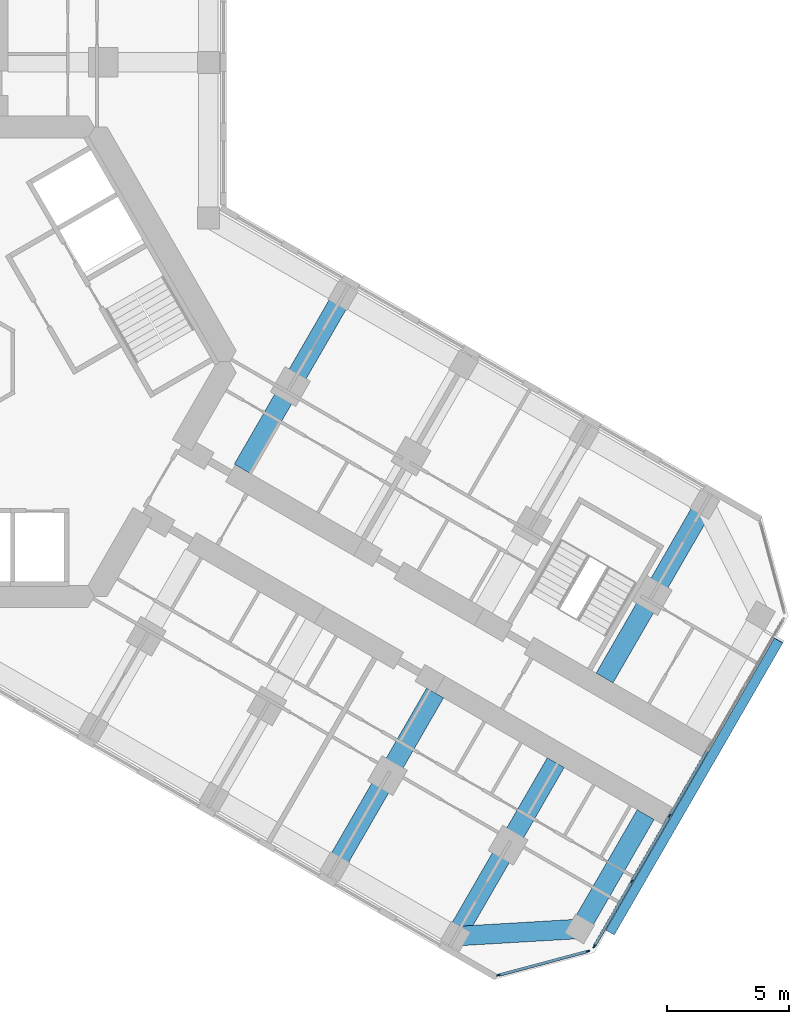
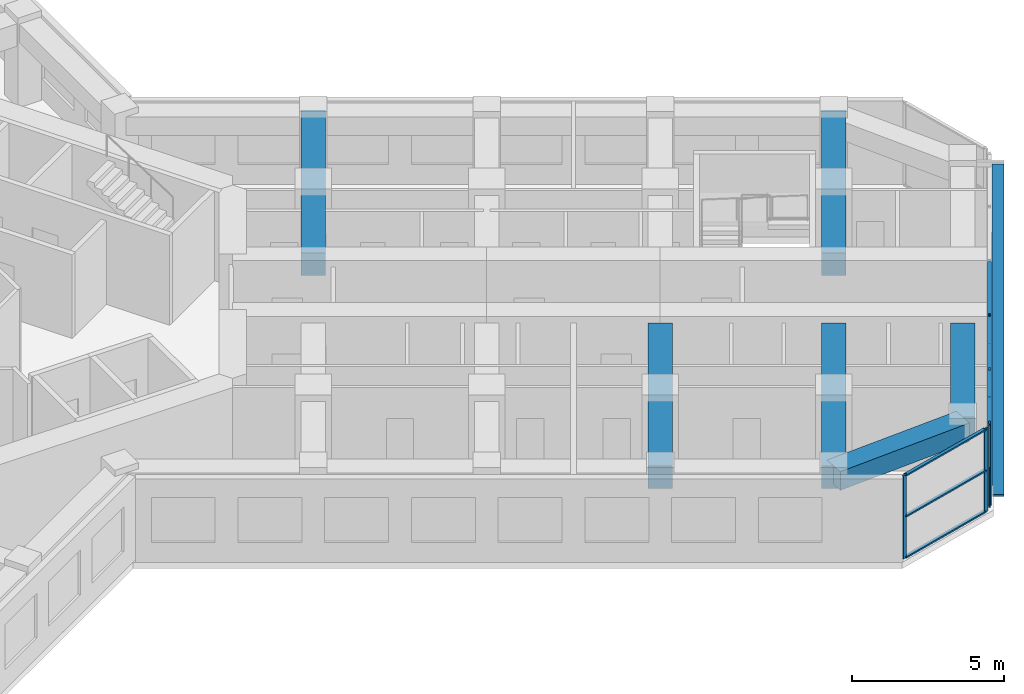
# One storey, part 5 of 20: 15 members, 6 beams, 2 elements without a shape of their own.
"""IFC4 building model written with IfcOpenShell, lengths in metres."""

from ifc_helpers import new_model, si_unit, direction, frame, origin, origin_2d, place, context, subcontext, project, spatial, rectangle, extrude, material, material_profile, profile_set, type_object, element, aggregate, save


model = new_model("IFC4")

# Units and contexts
model_context = context("Model", 3, precision=1e-05, world=origin(), true_north=direction((0.0, 1.0)))
body_context = subcontext(model_context, "Body", "Model", "MODEL_VIEW")
ifc_project = project(units=[si_unit("LENGTHUNIT", "METRE"), si_unit("AREAUNIT", "SQUARE_METRE"), si_unit("VOLUMEUNIT", "CUBIC_METRE"), si_unit("PLANEANGLEUNIT", "RADIAN"), si_unit("MASSUNIT", "GRAM", prefix="KILO")], contexts=[model_context])

# Site, building, storey
site_placement = place(None, origin())
site = spatial("IfcSite", under=ifc_project, at=site_placement, CompositionType="ELEMENT")
building_placement = place(site_placement, origin())
building = spatial("IfcBuilding", under=site, at=building_placement, Name="Kosmar Iwan School Tower", CompositionType="ELEMENT")
storey_placement = place(building_placement, frame((0.0, 0.0, 131.0)))
storey = spatial("IfcBuildingStorey", under=building, at=storey_placement, Name="L32", CompositionType="ELEMENT", Elevation=131.0)

# Member
ifc_material_1 = material(Name="Black anodised aluminium", Category="aluminium")
ifc_material_profile_1 = material_profile(ifc_material_1, rectangle(XDim=0.10009765625, YDim=0.39990234375, at=origin_2d()), Name="FIN 100x400")
ifc_profile_set_1 = profile_set([ifc_material_profile_1], Name="Black anodised aluminium")
member_type_1 = type_object("IfcMemberType", Name="Diagonal fin 100x400", PredefinedType="USERDEFINED", material=ifc_profile_set_1)
member_1_placement = place(storey_placement, frame((26.645263671875, -23.34912109375, -0.14990234375), z_axis=(0.483795538458, 0.837973939202, 0.252470897702), x_axis=(-0.126233699175, -0.218647221293, 0.967604488318)))
element("IfcMember", 1, at=member_1_placement, inside=storey, type_object=member_type_1, Name="Diagonal fin L32-F03", ObjectType="FIN", PredefinedType="USERDEFINED", context=body_context, shape_type="SweptSolid", body=[
    extrude(rectangle(XDim=0.10009765625, YDim=0.39990234375, at=origin_2d()), origin(), (0.0, 0.0, 1.0), 14.258544921875),
])

# Curtain wall, members
ifc_material_2 = material(Name="Dark glass in black aluminium frame", Category="aluminium")
curtain_wall_type_1 = type_object("IfcCurtainWallType", Name="Chamfer curtain wall dark glass", PredefinedType="USERDEFINED", material=ifc_material_2)
curtain_wall_1_placement = place(storey_placement, origin())
curtain_wall_1 = element("IfcCurtainWall", 2, at=curtain_wall_1_placement, inside=storey, type_object=curtain_wall_type_1, Name="Curtain wall L32-F02", ObjectType="FACETED CURTAIN WALL", PredefinedType="USERDEFINED")
ifc_material_3 = material(Name="Black anodised aluminium", Category="aluminium")
ifc_material_profile_2 = material_profile(ifc_material_3, rectangle(XDim=0.06005859375, YDim=0.159912109375, at=origin_2d()), Name="MULLION 60x160")
ifc_profile_set_2 = profile_set([ifc_material_profile_2], Name="Black anodised aluminium")
member_type_2 = type_object("IfcMemberType", Name="Mullion 60x160", PredefinedType="MULLION", material=ifc_profile_set_2)
member_2_placement = place(storey_placement, frame((22.0830078125, -25.102294921875, 0.0), z_axis=(0.0, 0.0, 1.0), x_axis=(-0.258818861462, 0.965925875495, 0.0)))
member_2 = element("IfcMember", 3, at=member_2_placement, type_object=member_type_2, Name="CW2 mullion 1", PredefinedType="MULLION", context=body_context, shape_type="SweptSolid", body=[
    extrude(rectangle(XDim=0.06005859375, YDim=0.159912109375, at=origin_2d()), origin(), (0.0, 0.0, 1.0), 3.35009765625),
])
member_3_placement = place(storey_placement, frame((25.733154296875, -24.124267578125, 0.0), z_axis=(0.0, 0.0, 1.0), x_axis=(-0.258818861462, 0.965925875495, 0.0)))
member_3 = element("IfcMember", 4, at=member_3_placement, type_object=member_type_2, Name="CW2 mullion 2", PredefinedType="MULLION", context=body_context, shape_type="SweptSolid", body=[
    extrude(rectangle(XDim=0.06005859375, YDim=0.159912109375, at=origin_2d()), origin(), (0.0, 0.0, 1.0), 3.35009765625),
])

ifc_material_4 = material(Name="Dark glass in black aluminium frame", Category="aluminium")
curtain_wall_type_2 = type_object("IfcCurtainWallType", Name="Tower curtain wall dark glass", PredefinedType="USERDEFINED", material=ifc_material_4)
curtain_wall_2_placement = place(storey_placement, origin())
curtain_wall_2 = element("IfcCurtainWall", 5, at=curtain_wall_2_placement, inside=storey, type_object=curtain_wall_type_2, Name="Curtain wall L32-F03", ObjectType="UNITISED CURTAIN WALL", PredefinedType="USERDEFINED")
member_4_placement = place(storey_placement, frame((25.9970703125, -23.921630859375, 0.0), z_axis=(0.0, 0.0, 1.0), x_axis=(-0.866025405329, 0.499999997325, 0.0)))
member_4 = element("IfcMember", 6, at=member_4_placement, type_object=member_type_2, Name="CW1 mullion 1", PredefinedType="MULLION", context=body_context, shape_type="SweptSolid", body=[
    extrude(rectangle(XDim=0.06005859375, YDim=0.159912109375, at=origin_2d()), origin(), (0.0, 0.0, 1.0), 3.35009765625),
])
member_5_placement = place(storey_placement, frame((27.53173828125, -21.263671875, 0.0), z_axis=(0.0, 0.0, 1.0), x_axis=(-0.866025405329, 0.499999997325, 0.0)))
member_5 = element("IfcMember", 7, at=member_5_placement, type_object=member_type_2, Name="CW1 mullion 2", PredefinedType="MULLION", context=body_context, shape_type="SweptSolid", body=[
    extrude(rectangle(XDim=0.06005859375, YDim=0.159912109375, at=origin_2d()), origin(), (0.0, 0.0, 1.0), 3.35009765625),
])
member_6_placement = place(storey_placement, frame((29.081298828125, -18.57958984375, 0.0), z_axis=(0.0, 0.0, 1.0), x_axis=(-0.866025405329, 0.499999997325, 0.0)))
member_6 = element("IfcMember", 8, at=member_6_placement, type_object=member_type_2, Name="CW1 mullion 3", PredefinedType="MULLION", context=body_context, shape_type="SweptSolid", body=[
    extrude(rectangle(XDim=0.06005859375, YDim=0.159912109375, at=origin_2d()), origin(), (0.0, 0.0, 1.0), 3.35009765625),
])

# Beams
ifc_material_5 = material(Name="Concrete C50/60", Category="concrete")
ifc_material_profile_3 = material_profile(ifc_material_5, rectangle(XDim=0.800048828125, YDim=0.75, at=origin_2d()), Name="RC 800x750")
ifc_profile_set_3 = profile_set([ifc_material_profile_3], Name="Concrete C50/60")
beam_type_1 = type_object("IfcBeamType", Name="RC tip beam 800x750", PredefinedType="BEAM", material=ifc_profile_set_3)
beam_1_placement = place(storey_placement, frame((20.31787109375, -23.508544921875, 2.97509765625), z_axis=(0.998260616478, 0.058955420358, 0.0), x_axis=(-0.058955420358, 0.998260616478, 0.0)))
element("IfcBeam", 9, at=beam_1_placement, inside=storey, type_object=beam_type_1, Name="Tip beam CR", PredefinedType="BEAM", context=body_context, shape_type="SweptSolid", body=[
    extrude(rectangle(XDim=0.800048828125, YDim=0.75, at=origin_2d()), origin(), (0.0, 0.0, 1.0), 5.08935546875),
])
beam_2_placement = place(storey_placement, frame((25.3984375, -23.20849609375, 2.97509765625), z_axis=(0.499995103361, 0.866028230842, 0.0), x_axis=(-0.866028230842, 0.499995103361, 0.0)))
element("IfcBeam", 10, at=beam_2_placement, inside=storey, type_object=beam_type_1, Name="Tip beam CR to corridor wall", PredefinedType="BEAM", context=body_context, shape_type="SweptSolid", body=[
    extrude(rectangle(XDim=0.800048828125, YDim=0.75, at=origin_2d()), origin(), (0.0, 0.0, 1.0), 5.39990234375),
])
ifc_material_6 = material(Name="Concrete C50/60", Category="concrete")
ifc_material_profile_4 = material_profile(ifc_material_6, rectangle(XDim=0.800048828125, YDim=0.89990234375, at=origin_2d()), Name="RC 800x900")
ifc_profile_set_4 = profile_set([ifc_material_profile_4], Name="Concrete C50/60")
beam_type_2 = type_object("IfcBeamType", Name="RC transverse beam 800x900", PredefinedType="BEAM", material=ifc_profile_set_4)
for number, where, z_axis, x_axis, name in (
    (11, (15.708740234375, 2.70849609375, 2.89990234375), (-0.499978459874, -0.866037839625, 0.0), (0.866037839625, -0.499978459874, 0.0), "Transverse beam CL1"),
    (12, (30.517822265625, -5.841552734375, 2.89990234375), (-0.500013681986, -0.866017504342, 0.0), (0.866017504342, -0.500013681986, 0.0), "Transverse beam CL4"),
    (13, (15.381591796875, -20.658447265625, 2.89990234375), (0.49999135188, 0.866030396721, 0.0), (-0.866030396721, 0.49999135188, 0.0), "Transverse beam CR3"),
    (14, (20.31787109375, -23.508544921875, 2.89990234375), (0.499978459874, 0.866037839625, 0.0), (-0.866037839625, 0.499978459874, 0.0), "Transverse beam CR4"),
):
    element("IfcBeam", number, at=place(storey_placement, frame(where, z_axis=z_axis, x_axis=x_axis)), inside=storey, type_object=beam_type_2, Name=name, PredefinedType="BEAM", context=body_context, shape_type="SweptSolid", body=[
        extrude(rectangle(XDim=0.800048828125, YDim=0.89990234375, at=origin_2d()), origin(), (0.0, 0.0, 1.0), 8.199951171875),
    ])

# Member
ifc_material_7 = material(Name="Black anodised aluminium", Category="aluminium")
ifc_material_profile_5 = material_profile(ifc_material_7, rectangle(XDim=0.1201171875, YDim=0.06005859375, at=origin_2d()), Name="TRANSOM 60x120")
ifc_profile_set_5 = profile_set([ifc_material_profile_5], Name="Black anodised aluminium")
member_type_3 = type_object("IfcMemberType", Name="Transom 60x120", PredefinedType="USERDEFINED", material=ifc_profile_set_5)
member_7_placement = place(storey_placement, frame((22.11181640625, -25.094482421875, 0.030029296875), z_axis=(0.965923731726, 0.258826861991, 0.0), x_axis=(-0.258826861991, 0.965923731726, 0.0)))
member_7 = element("IfcMember", 15, at=member_7_placement, type_object=member_type_3, Name="CW2 transom 1.1", ObjectType="TRANSOM", PredefinedType="USERDEFINED", context=body_context, shape_type="SweptSolid", body=[
    extrude(rectangle(XDim=0.1201171875, YDim=0.06005859375, at=origin_2d()), origin(), (0.0, 0.0, 1.0), 3.71923828125),
])

member_8_placement = place(storey_placement, frame((22.11181640625, -25.094482421875, 1.675048828125), z_axis=(0.965923731726, 0.258826861991, 0.0), x_axis=(-0.258826861991, 0.965923731726, 0.0)))
member_8 = element("IfcMember", 16, at=member_8_placement, type_object=member_type_3, Name="CW2 transom 1.2", ObjectType="TRANSOM", PredefinedType="USERDEFINED", context=body_context, shape_type="SweptSolid", body=[
    extrude(rectangle(XDim=0.1201171875, YDim=0.06005859375, at=origin_2d()), origin(), (0.0, 0.0, 1.0), 3.71923828125),
])

member_9_placement = place(storey_placement, frame((22.11181640625, -25.094482421875, 3.320068359375), z_axis=(0.965923731726, 0.258826861991, 0.0), x_axis=(-0.258826861991, 0.965923731726, 0.0)))
member_9 = element("IfcMember", 17, at=member_9_placement, type_object=member_type_3, Name="CW2 transom 1.3", ObjectType="TRANSOM", PredefinedType="USERDEFINED", context=body_context, shape_type="SweptSolid", body=[
    extrude(rectangle(XDim=0.1201171875, YDim=0.06005859375, at=origin_2d()), origin(), (0.0, 0.0, 1.0), 3.71923828125),
])

aggregate(curtain_wall_1, [member_2, member_3, member_7, member_8, member_9])

member_10_placement = place(storey_placement, frame((26.01220703125, -23.895751953125, 0.030029296875), z_axis=(0.499986971506, 0.866032925658, 0.0), x_axis=(-0.866032925658, 0.499986971506, 0.0)))
member_10 = element("IfcMember", 18, at=member_10_placement, type_object=member_type_3, Name="CW1 transom 1.1", ObjectType="TRANSOM", PredefinedType="USERDEFINED", context=body_context, shape_type="SweptSolid", body=[
    extrude(rectangle(XDim=0.1201171875, YDim=0.06005859375, at=origin_2d()), origin(), (0.0, 0.0, 1.0), 3.00927734375),
])

member_11_placement = place(storey_placement, frame((26.01220703125, -23.895751953125, 3.320068359375), z_axis=(0.499986971506, 0.866032925658, 0.0), x_axis=(-0.866032925658, 0.499986971506, 0.0)))
member_11 = element("IfcMember", 19, at=member_11_placement, type_object=member_type_3, Name="CW1 transom 1.2", ObjectType="TRANSOM", PredefinedType="USERDEFINED", context=body_context, shape_type="SweptSolid", body=[
    extrude(rectangle(XDim=0.1201171875, YDim=0.06005859375, at=origin_2d()), origin(), (0.0, 0.0, 1.0), 3.00927734375),
])

member_12_placement = place(storey_placement, frame((27.546875, -21.237548828125, 0.030029296875), z_axis=(0.499975102327, 0.866039777986, 0.0), x_axis=(-0.866039777986, 0.499975102327, 0.0)))
member_12 = element("IfcMember", 20, at=member_12_placement, type_object=member_type_3, Name="CW1 transom 2.1", ObjectType="TRANSOM", PredefinedType="USERDEFINED", context=body_context, shape_type="SweptSolid", body=[
    extrude(rectangle(XDim=0.1201171875, YDim=0.06005859375, at=origin_2d()), origin(), (0.0, 0.0, 1.0), 3.039306640625),
])

member_13_placement = place(storey_placement, frame((27.546875, -21.237548828125, 3.320068359375), z_axis=(0.499975102327, 0.866039777986, 0.0), x_axis=(-0.866039777986, 0.499975102327, 0.0)))
member_13 = element("IfcMember", 21, at=member_13_placement, type_object=member_type_3, Name="CW1 transom 2.2", ObjectType="TRANSOM", PredefinedType="USERDEFINED", context=body_context, shape_type="SweptSolid", body=[
    extrude(rectangle(XDim=0.1201171875, YDim=0.06005859375, at=origin_2d()), origin(), (0.0, 0.0, 1.0), 3.039306640625),
])

member_14_placement = place(storey_placement, frame((29.096435546875, -18.553466796875, 0.030029296875), z_axis=(0.499975102327, 0.866039777986, 0.0), x_axis=(-0.866039777986, 0.499975102327, 0.0)))
member_14 = element("IfcMember", 22, at=member_14_placement, type_object=member_type_3, Name="CW1 transom 3.1", ObjectType="TRANSOM", PredefinedType="USERDEFINED", context=body_context, shape_type="SweptSolid", body=[
    extrude(rectangle(XDim=0.1201171875, YDim=0.06005859375, at=origin_2d()), origin(), (0.0, 0.0, 1.0), 3.039306640625),
])

member_15_placement = place(storey_placement, frame((29.096435546875, -18.553466796875, 3.320068359375), z_axis=(0.499975102327, 0.866039777986, 0.0), x_axis=(-0.866039777986, 0.499975102327, 0.0)))
member_15 = element("IfcMember", 23, at=member_15_placement, type_object=member_type_3, Name="CW1 transom 3.2", ObjectType="TRANSOM", PredefinedType="USERDEFINED", context=body_context, shape_type="SweptSolid", body=[
    extrude(rectangle(XDim=0.1201171875, YDim=0.06005859375, at=origin_2d()), origin(), (0.0, 0.0, 1.0), 3.039306640625),
])

aggregate(curtain_wall_2, [member_4, member_5, member_6, member_10, member_11, member_12, member_13, member_14, member_15])

save(model, "model.ifc")
